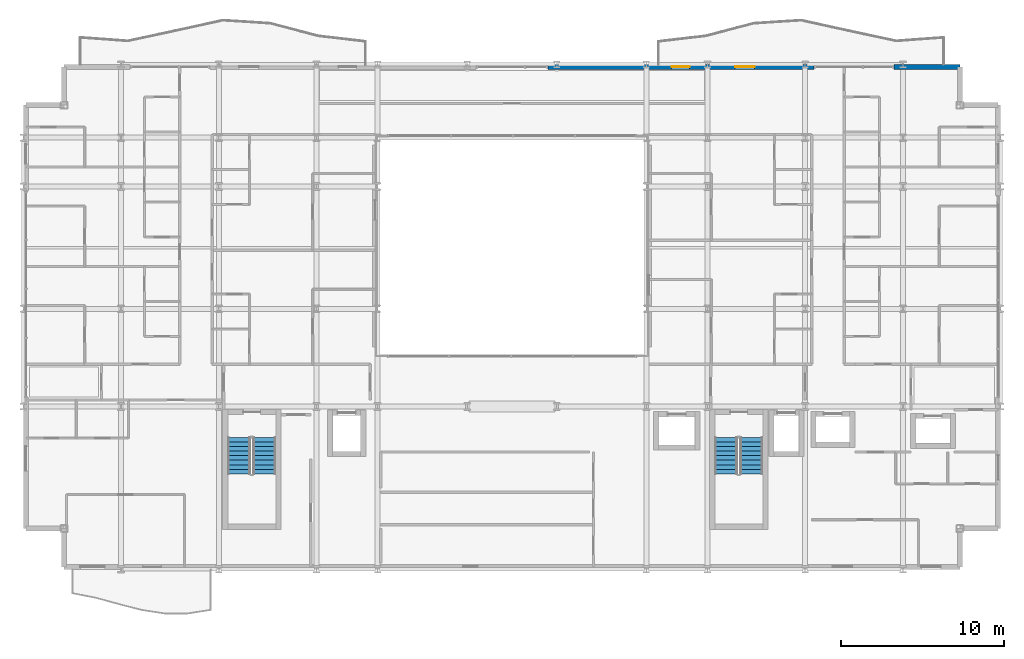
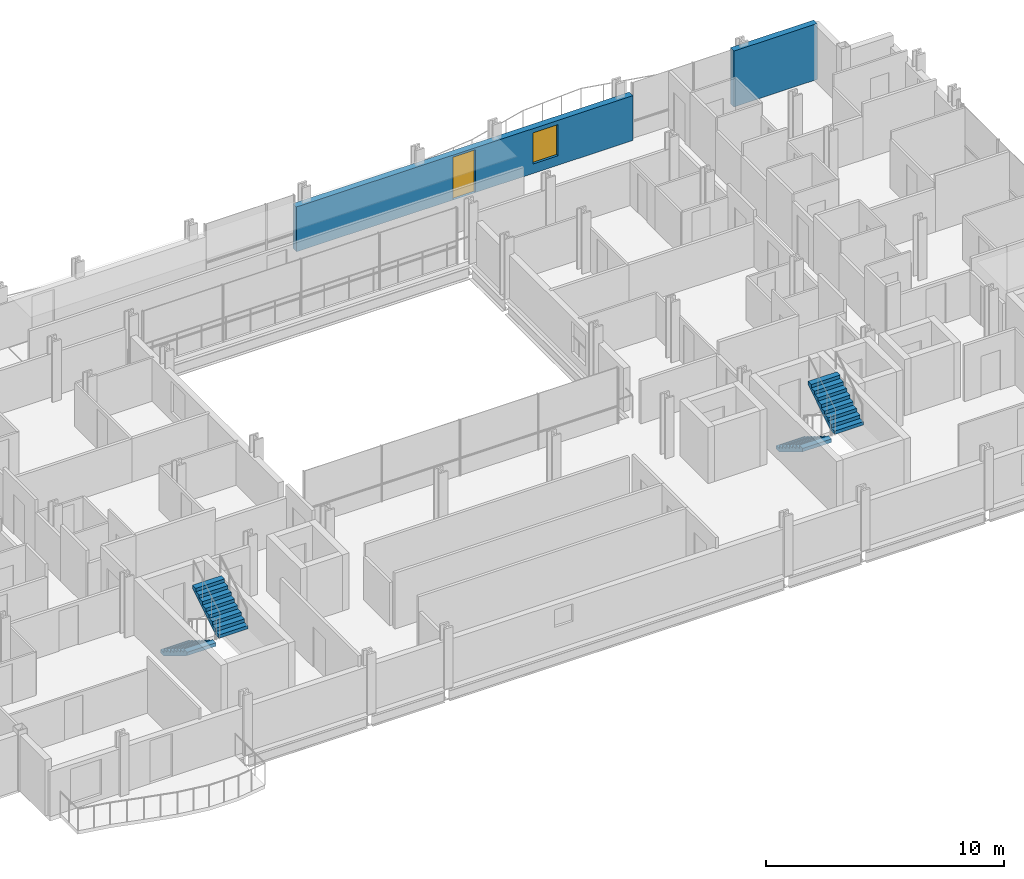
# One storey, part 37 of 40: 4 stair flights, 2 walls, 1 door, 1 window, 2 openings, 2 elements without a shape of their own.
"""IFC4 building model written with IfcOpenShell, lengths in metres."""

import ifcopenshell
import ifcopenshell.guid

model = None  # the IFC model being written
_history = None  # IfcOwnerHistory: only IFC2X3 demands one
_inside = {}  # id of a spatial element -> (the spatial element, [elements in it])
_under = {}  # id of a project, library or spatial element -> (it, [spatial elements below it])
_declared = {}  # id of a project -> (the project, [libraries it declares])
_typed = {}  # id of a type object -> (the type object, [elements of that type])
_made_of = {}  # id of a material, layer set ... -> (it, [elements and type objects made of it])


def new_model(schema):
    """Start an empty IFC model of exactly this schema.

    Asked for "IFC4X3", IfcOpenShell would pick the latest addendum, in which some entities
    have other attributes; the version numbers below select the first issue.
    IFC2X3 requires an IfcOwnerHistory on every rooted entity: one is made here for all.
    """
    global model, _history
    if schema == "IFC4X3":
        model = ifcopenshell.file(schema_version=(4, 3, 0, 0))
    else:
        model = ifcopenshell.file(schema=schema)
    _inside.clear()
    _under.clear()
    _declared.clear()
    _typed.clear()
    _made_of.clear()
    _history = None
    if model.schema == "IFC2X3":
        org = make("IfcOrganization", Name="unknown")
        user = make(
            "IfcPersonAndOrganization",
            ThePerson=make("IfcPerson", FamilyName="unknown"),
            TheOrganization=org,
        )
        app = make(
            "IfcApplication",
            ApplicationDeveloper=org,
            Version="unknown",
            ApplicationFullName="unknown",
            ApplicationIdentifier="unknown",
        )
        _history = make(
            "IfcOwnerHistory",
            OwningUser=user,
            OwningApplication=app,
            ChangeAction="ADDED",
            CreationDate=0,
        )
    return model


def make(cls, **values):
    """One entity of the class cls with the attributes given. An attribute that is None is left unset."""
    return model.create_entity(
        cls, **{name: value for name, value in values.items() if value is not None}
    )


def rooted(cls, **values):
    """An entity with a GlobalId (a new one), such as an element, a storey or a relation."""
    return make(cls, GlobalId=ifcopenshell.guid.new(), OwnerHistory=_history, **values)


def si_unit(unit_type, name, prefix=None):
    """IfcSIUnit, for example si_unit("LENGTHUNIT", "METRE", prefix="MILLI")."""
    return make("IfcSIUnit", UnitType=unit_type, Prefix=prefix, Name=name)


def assignment(units):
    """IfcUnitAssignment: the units of a project."""
    return None if units is None else make("IfcUnitAssignment", Units=units)


def point(xyz):
    """IfcCartesianPoint."""
    return None if xyz is None else make("IfcCartesianPoint", Coordinates=xyz)


def direction(xyz):
    """IfcDirection."""
    return None if xyz is None else make("IfcDirection", DirectionRatios=xyz)


def frame(location, z_axis=None, x_axis=None):
    """IfcAxis2Placement3D, a coordinate frame: its origin and axes. An axis left out is left unset."""
    return make(
        "IfcAxis2Placement3D",
        Location=point(location),
        Axis=direction(z_axis),
        RefDirection=direction(x_axis),
    )


def frame_2d(location, x_axis=None):
    """IfcAxis2Placement2D, a coordinate frame in the plane: its origin and x axis."""
    return make(
        "IfcAxis2Placement2D", Location=point(location), RefDirection=direction(x_axis)
    )


def origin():
    """The frame at (0, 0, 0) with its axes left unset."""
    return frame((0.0, 0.0, 0.0))


def place(relative_to, where):
    """IfcLocalPlacement: puts the frame where relative to a parent placement (None: the world)."""
    return make(
        "IfcLocalPlacement", PlacementRelTo=relative_to, RelativePlacement=where
    )


def context(
    kind, dimensions, precision=None, world=None, true_north=None, identifier=None
):
    """IfcGeometricRepresentationContext, for example the 3D "Model" context."""
    return make(
        "IfcGeometricRepresentationContext",
        ContextIdentifier=identifier,
        ContextType=kind,
        CoordinateSpaceDimension=dimensions,
        Precision=precision,
        WorldCoordinateSystem=world,
        TrueNorth=true_north,
    )


def subcontext(parent, identifier, kind, view, scale=None):
    """IfcGeometricRepresentationSubContext, for example "Body" below "Model"."""
    return make(
        "IfcGeometricRepresentationSubContext",
        ContextIdentifier=identifier,
        ContextType=kind,
        ParentContext=parent,
        TargetScale=scale,
        TargetView=view,
    )


def project(units=None, contexts=None):
    """IfcProject with its units and contexts."""
    return rooted(
        "IfcProject",
        Name="project",
        RepresentationContexts=contexts,
        UnitsInContext=assignment(units),
    )


def spatial(cls, under=None, at=None, **own):
    """A site, building, storey or space (cls), placed at a placement, below another one or the project."""
    s = rooted(cls, ObjectPlacement=at, **own)
    if under is not None:
        _under.setdefault(under.id(), (under, []))[1].append(s)
    return s


def polyline(points):
    """IfcPolyline through the points."""
    return make("IfcPolyline", Points=[point(p) for p in points])


def profile(cls, at=None, kind="AREA", **sizes):
    """A parametric profile (cls). Its sizes go by their IFC names, for example OverallWidth=200.0."""
    return make(cls, ProfileType=kind, Position=at, **sizes)


def rectangle(**sizes):
    """IfcRectangleProfileDef."""
    return profile("IfcRectangleProfileDef", **sizes)


def outline(outer, holes=None, kind="AREA"):
    """IfcArbitraryClosedProfileDef: a profile drawn as a closed curve; with holes, ...WithVoids."""
    if holes is None:
        return make("IfcArbitraryClosedProfileDef", ProfileType=kind, OuterCurve=outer)
    return make(
        "IfcArbitraryProfileDefWithVoids",
        ProfileType=kind,
        OuterCurve=outer,
        InnerCurves=holes,
    )


def extrude(swept, where, along, depth):
    """IfcExtrudedAreaSolid: the profile swept, set in the frame where, extruded along a direction by depth."""
    return make(
        "IfcExtrudedAreaSolid",
        SweptArea=swept,
        Position=where,
        ExtrudedDirection=direction(along),
        Depth=depth,
    )


def shape(context_of_items, identifier, shape_type, items):
    """IfcShapeRepresentation: the items that make up one representation, for example the "Body"."""
    return make(
        "IfcShapeRepresentation",
        ContextOfItems=context_of_items,
        RepresentationIdentifier=identifier,
        RepresentationType=shape_type,
        Items=items,
    )


def material(Name=None, Category=None):
    """IfcMaterial."""
    return make("IfcMaterial", Name=Name, Category=Category)


def layer(
    of_material, thickness, ventilated=None, Name=None, Category=None, Priority=None
):
    """IfcMaterialLayer: one layer of a wall or slab, of a material (None: an air gap)."""
    return make(
        "IfcMaterialLayer",
        Material=of_material,
        LayerThickness=thickness,
        IsVentilated=ventilated,
        Name=Name,
        Category=Category,
        Priority=Priority,
    )


def layer_set(layers, Name=None):
    """IfcMaterialLayerSet."""
    return make("IfcMaterialLayerSet", MaterialLayers=layers, LayerSetName=Name)


def made_of(thing, what):
    """Note that an element or type object is made of a material, layer set ...; save() writes the relation."""
    if what is not None:
        _made_of.setdefault(what.id(), (what, []))[1].append(thing)
    return thing


def type_object(cls, material=None, **own):
    """A type object (cls), such as IfcWallType, which elements share."""
    return made_of(rooted(cls, **own), material)


def element(
    cls,
    number,
    at=None,
    inside=None,
    cuts=None,
    type_object=None,
    material=None,
    context=None,
    identifier="Body",
    shape_type=None,
    held_by="IfcProductDefinitionShape",
    body=None,
    shapes=None,
    **own,
):
    """One element of the class cls, such as IfcWall. Its Tag is "e" and its number.

    at: its placement. inside: the storey or other place that contains it. cuts: it is an
    opening in that element (IfcRelVoidsElement). A single representation is given by context,
    identifier, shape_type and body (its items); several are given by shapes. held_by: the class
    of the entity that holds the representations. save() writes the other relations.
    """
    e = rooted(cls, Tag="e%d" % number, ObjectPlacement=at, **own)
    if body is not None:
        shapes = [shape(context, identifier, shape_type, body)]
    if shapes is not None:
        e.Representation = make(held_by, Representations=shapes)
    if inside is not None:
        _inside.setdefault(inside.id(), (inside, []))[1].append(e)
    if cuts is not None:
        rooted(
            "IfcRelVoidsElement", RelatingBuildingElement=cuts, RelatedOpeningElement=e
        )
    if type_object is not None:
        _typed.setdefault(type_object.id(), (type_object, []))[1].append(e)
    return made_of(e, material)


def fill(opening, filler):
    """IfcRelFillsElement: the door or window that sits in an opening."""
    return rooted(
        "IfcRelFillsElement",
        RelatingOpeningElement=opening,
        RelatedBuildingElement=filler,
    )


def aggregate(whole, parts):
    """IfcRelAggregates: a whole, such as a stair, and the parts it consists of."""
    return rooted("IfcRelAggregates", RelatingObject=whole, RelatedObjects=parts)


def save(model, path):
    """Write the relations noted so far, then the file.

    IfcRelAggregates (storeys below a building ...), IfcRelContainedInSpatialStructure (elements
    in a storey), IfcRelDefinesByType, IfcRelAssociatesMaterial and IfcRelDeclares: one each for
    every whole, place, type object, material and project.
    """
    for whole, parts in _under.values():
        aggregate(whole, parts)
    for where, things in _inside.values():
        rooted(
            "IfcRelContainedInSpatialStructure",
            RelatedElements=things,
            RelatingStructure=where,
        )
    for kind, things in _typed.values():
        rooted("IfcRelDefinesByType", RelatedObjects=things, RelatingType=kind)
    for what, things in _made_of.values():
        rooted("IfcRelAssociatesMaterial", RelatedObjects=things, RelatingMaterial=what)
    for by, libraries in _declared.values():
        rooted("IfcRelDeclares", RelatingContext=by, RelatedDefinitions=libraries)
    model.write(path)


model = new_model("IFC4")

# Units and contexts
model_context = context("Model", 3, precision=1e-05, world=origin(), true_north=direction((0.0, 1.0)))
body_context = subcontext(model_context, "Body", "Model", "MODEL_VIEW")
ifc_project = project(units=[si_unit("LENGTHUNIT", "METRE"), si_unit("AREAUNIT", "SQUARE_METRE"), si_unit("VOLUMEUNIT", "CUBIC_METRE"), si_unit("PLANEANGLEUNIT", "RADIAN"), si_unit("MASSUNIT", "GRAM", prefix="KILO")], contexts=[model_context])

# Site, building, storey
site_placement = place(None, origin())
site = spatial("IfcSite", under=ifc_project, at=site_placement, CompositionType="ELEMENT")
building_placement = place(site_placement, origin())
building = spatial("IfcBuilding", under=site, at=building_placement, Name="Brevholm Reach", CompositionType="ELEMENT")
storey_placement = place(building_placement, frame((0.0, 0.0, 37.300048828125)))
storey = spatial("IfcBuildingStorey", under=building, at=storey_placement, Name="L09", CompositionType="ELEMENT", Elevation=37.300048828125)

# Wall
ifc_material_1 = material(Name="Concrete C40/50", Category="concrete")
ifc_layer_1 = layer(ifc_material_1, 0.300048828125)
ifc_layer_set_1 = layer_set([ifc_layer_1], Name="Concrete C40/50")
wall_type = type_object("IfcWallType", Name="WAL-EXT-300", PredefinedType="STANDARD", material=ifc_layer_set_1)
wall_1_placement = place(storey_placement, frame((53.449951171875, 30.85009765625, 0.0), z_axis=(0.0, 0.0, 1.0), x_axis=(1.0, 0.0, 0.0)))
element("IfcWall", 1, at=wall_1_placement, inside=storey, type_object=wall_type, Name="L09 Facade Wall WAL-L09-NP-E0", PredefinedType="STANDARD", context=body_context, shape_type="SweptSolid", body=[
    extrude(rectangle(XDim=4.050048828125, YDim=0.300048828125, at=frame_2d((2.02490234375, 0.0))), origin(), (0.0, 0.0, 1.0), 2.869873046875),
])

# Wall, openings, door, window
wall_2_placement = place(storey_placement, frame((32.199951171875, 30.85009765625, 0.0), z_axis=(0.0, 0.0, 1.0), x_axis=(1.0, 0.0, 0.0)))
wall_2 = element("IfcWall", 2, at=wall_2_placement, inside=storey, type_object=wall_type, Name="L09 Facade Wall WAL-L09-NP-ER", PredefinedType="STANDARD", context=body_context, shape_type="SweptSolid", body=[
    extrude(rectangle(XDim=16.35009765625, YDim=0.300048828125, at=frame_2d((8.175048828125, 0.0))), origin(), (0.0, 0.0, 1.0), 2.305419921875),
])
opening_1_placement = place(wall_2_placement, frame((7.60009765625, 0.0, 0.0)))
opening_1 = element("IfcOpeningElement", 3, at=opening_1_placement, cuts=wall_2, Name="Opening BD-01", PredefinedType="OPENING", context=body_context, shape_type="SweptSolid", body=[
    extrude(rectangle(XDim=1.10009765625, YDim=2.199951171875, at=frame_2d((0.550048828125, 1.10009765625))), frame((0.0, 0.159912109375, 0.0), z_axis=(0.0, -1.0, 0.0), x_axis=(1.0, 0.0, 0.0)), (0.0, 0.0, 1.0), 0.320068359375),
])
opening_2_placement = place(wall_2_placement, frame((11.5, 0.0, 0.486083984375)))
opening_2 = element("IfcOpeningElement", 4, at=opening_2_placement, cuts=wall_2, Name="Opening WN-08", PredefinedType="OPENING", context=body_context, shape_type="SweptSolid", body=[
    extrude(rectangle(XDim=1.199951171875, YDim=1.60009765625, at=frame_2d((0.60009765625, 0.800048828125))), frame((0.0, 0.159912109375, 0.0), z_axis=(0.0, -1.0, 0.0), x_axis=(1.0, 0.0, 0.0)), (0.0, 0.0, 1.0), 0.320068359375),
])
ifc_material_2 = material(Name="Dark Anodised Aluminium and Triple-Glazed Glass", Category="aluminium")
door_type = type_object("IfcDoorType", Name="DOR-BALC-1100", OperationType="NOTDEFINED", PredefinedType="DOOR", material=ifc_material_2)
door_placement = place(opening_1_placement, origin())
door = element("IfcDoor", 5, at=door_placement, inside=storey, type_object=door_type, Name="L09 Exterior Door DOR-L09-BL-NE", OperationType="SINGLE_SWING_LEFT", OverallHeight=2.199951171875, OverallWidth=1.10009765625, PredefinedType="DOOR", context=body_context, shape_type="SweptSolid", body=[
    extrude(rectangle(XDim=1.10009765625, YDim=2.199951171875, at=frame_2d((0.550048828125, 1.10009765625))), frame((0.0, 0.02490234375, 0.0), z_axis=(0.0, -1.0, 0.0), x_axis=(1.0, 0.0, 0.0)), (0.0, 0.0, 1.0), 0.050048828125),
])
fill(opening_1, door)
ifc_material_3 = material(Name="Dark Anodised Aluminium and Solar-Control IGU Glass", Category="aluminium")
window_type = type_object("IfcWindowType", Name="WIN-RES-1200", PartitioningType="SINGLE_PANEL", PredefinedType="WINDOW", material=ifc_material_3)
window_placement = place(opening_2_placement, origin())
window = element("IfcWindow", 6, at=window_placement, inside=storey, type_object=window_type, Name="L09 Window WIN-L09-NP-ER1", OverallHeight=1.60009765625, OverallWidth=1.199951171875, PartitioningType="SINGLE_PANEL", PredefinedType="WINDOW", context=body_context, shape_type="SweptSolid", body=[
    extrude(rectangle(XDim=1.199951171875, YDim=1.60009765625, at=frame_2d((0.60009765625, 0.800048828125))), frame((0.0, 0.030029296875, 0.0), z_axis=(0.0, -1.0, 0.0), x_axis=(1.0, 0.0, 0.0)), (0.0, 0.0, 1.0), 0.06005859375),
])
fill(opening_2, window)

# Stair, stair flights
ifc_material_4 = material(Name="Precast Concrete C40/50", Category="concrete")
stair_type = type_object("IfcStairType", Name="STR-ESC-1400", PredefinedType="DOUBLE_RETURN_STAIR", material=ifc_material_4)
stair_1_placement = place(storey_placement, origin())
stair_1 = element("IfcStair", 7, at=stair_1_placement, inside=storey, type_object=stair_type, Name="L09 ST-1", PredefinedType="DOUBLE_RETURN_STAIR")
ifc_material_5 = material(Name="Precast Concrete C40/50", Category="concrete")
ifc_layer_2 = layer(ifc_material_5, 0.18505859375)
ifc_layer_set_2 = layer_set([ifc_layer_2], Name="Precast Concrete C40/50")
stair_flight_type = type_object("IfcStairFlightType", Name="STF-PRC-185", PredefinedType="STRAIGHT", material=ifc_layer_set_2)
stair_flight_1_placement = place(storey_placement, frame((13.25, 8.10009765625, 0.0), z_axis=(0.0, 0.0, 1.0), x_axis=(0.0, -1.0, 0.0)))
stair_flight_1 = element("IfcStairFlight", 8, at=stair_flight_1_placement, type_object=stair_flight_type, Name="ST-1 flight 1", NumberOfRisers=9, NumberOfTreads=8, PredefinedType="STRAIGHT", RiserHeight=0.172222222, TreadLength=0.28, context=body_context, shape_type="SweptSolid", body=[
    extrude(outline(polyline([(0.0, 0.0), (0.0, 0.172119140625), (0.280029296875, 0.172119140625), (0.280029296875, 0.344482421875), (0.56005859375, 0.344482421875), (0.56005859375, 0.5166015625), (0.840087890625, 0.5166015625), (0.840087890625, 0.68896484375), (1.1201171875, 0.68896484375), (1.1201171875, 0.861083984375), (1.39990234375, 0.861083984375), (1.39990234375, 1.033447265625), (1.679931640625, 1.033447265625), (1.679931640625, 1.20556640625), (1.9599609375, 1.20556640625), (1.9599609375, 1.377685546875), (2.239990234375, 1.377685546875), (2.239990234375, 1.550048828125), (2.239990234375, 1.201904296875), (0.2861328125, 0.0), (0.0, 0.0)])), frame((0.0, 0.699951171875, 0.0), z_axis=(0.0, -1.0, 0.0), x_axis=(1.0, 0.0, 0.0)), (0.0, 0.0, 1.0), 1.39990234375),
])
stair_flight_2_placement = place(storey_placement, frame((14.800048828125, 5.860107421875, 1.550048828125), z_axis=(0.0, 0.0, 1.0), x_axis=(0.0, 1.0, 0.0)))
stair_flight_2 = element("IfcStairFlight", 9, at=stair_flight_2_placement, type_object=stair_flight_type, Name="ST-1 flight 2", NumberOfRisers=9, NumberOfTreads=8, PredefinedType="STRAIGHT", RiserHeight=0.172222222, TreadLength=0.28, context=body_context, shape_type="SweptSolid", body=[
    extrude(outline(polyline([(0.0, 0.0), (0.0, 0.172119140625), (0.280029296875, 0.172119140625), (0.280029296875, 0.344482421875), (0.56005859375, 0.344482421875), (0.56005859375, 0.5166015625), (0.840087890625, 0.5166015625), (0.840087890625, 0.68896484375), (1.1201171875, 0.68896484375), (1.1201171875, 0.861083984375), (1.39990234375, 0.861083984375), (1.39990234375, 1.033447265625), (1.679931640625, 1.033447265625), (1.679931640625, 1.20556640625), (1.9599609375, 1.20556640625), (1.9599609375, 1.377685546875), (2.239990234375, 1.377685546875), (2.239990234375, 1.550048828125), (2.239990234375, 1.201904296875), (0.2861328125, 0.0), (0.0, 0.0)])), frame((0.0, 0.699951171875, 0.0), z_axis=(0.0, -1.0, 0.0), x_axis=(1.0, 0.0, 0.0)), (0.0, 0.0, 1.0), 1.39990234375),
])
aggregate(stair_1, [stair_flight_1, stair_flight_2])

stair_2_placement = place(storey_placement, origin())
stair_2 = element("IfcStair", 10, at=stair_2_placement, inside=storey, type_object=stair_type, Name="L09 ST-2", PredefinedType="DOUBLE_RETURN_STAIR")
stair_flight_3_placement = place(storey_placement, frame((43.14990234375, 8.10009765625, 0.0), z_axis=(0.0, 0.0, 1.0), x_axis=(0.0, -1.0, 0.0)))
stair_flight_3 = element("IfcStairFlight", 11, at=stair_flight_3_placement, type_object=stair_flight_type, Name="ST-2 flight 1", NumberOfRisers=9, NumberOfTreads=8, PredefinedType="STRAIGHT", RiserHeight=0.172222222, TreadLength=0.28, context=body_context, shape_type="SweptSolid", body=[
    extrude(outline(polyline([(0.0, 0.0), (0.0, 0.172119140625), (0.280029296875, 0.172119140625), (0.280029296875, 0.344482421875), (0.56005859375, 0.344482421875), (0.56005859375, 0.5166015625), (0.840087890625, 0.5166015625), (0.840087890625, 0.68896484375), (1.1201171875, 0.68896484375), (1.1201171875, 0.861083984375), (1.39990234375, 0.861083984375), (1.39990234375, 1.033447265625), (1.679931640625, 1.033447265625), (1.679931640625, 1.20556640625), (1.9599609375, 1.20556640625), (1.9599609375, 1.377685546875), (2.239990234375, 1.377685546875), (2.239990234375, 1.550048828125), (2.239990234375, 1.201904296875), (0.2861328125, 0.0), (0.0, 0.0)])), frame((0.0, 0.699951171875, 0.0), z_axis=(0.0, -1.0, 0.0), x_axis=(1.0, 0.0, 0.0)), (0.0, 0.0, 1.0), 1.39990234375),
])
stair_flight_4_placement = place(storey_placement, frame((44.699951171875, 5.860107421875, 1.550048828125), z_axis=(0.0, 0.0, 1.0), x_axis=(0.0, 1.0, 0.0)))
stair_flight_4 = element("IfcStairFlight", 12, at=stair_flight_4_placement, type_object=stair_flight_type, Name="ST-2 flight 2", NumberOfRisers=9, NumberOfTreads=8, PredefinedType="STRAIGHT", RiserHeight=0.172222222, TreadLength=0.28, context=body_context, shape_type="SweptSolid", body=[
    extrude(outline(polyline([(0.0, 0.0), (0.0, 0.172119140625), (0.280029296875, 0.172119140625), (0.280029296875, 0.344482421875), (0.56005859375, 0.344482421875), (0.56005859375, 0.5166015625), (0.840087890625, 0.5166015625), (0.840087890625, 0.68896484375), (1.1201171875, 0.68896484375), (1.1201171875, 0.861083984375), (1.39990234375, 0.861083984375), (1.39990234375, 1.033447265625), (1.679931640625, 1.033447265625), (1.679931640625, 1.20556640625), (1.9599609375, 1.20556640625), (1.9599609375, 1.377685546875), (2.239990234375, 1.377685546875), (2.239990234375, 1.550048828125), (2.239990234375, 1.201904296875), (0.2861328125, 0.0), (0.0, 0.0)])), frame((0.0, 0.699951171875, 0.0), z_axis=(0.0, -1.0, 0.0), x_axis=(1.0, 0.0, 0.0)), (0.0, 0.0, 1.0), 1.39990234375),
])
aggregate(stair_2, [stair_flight_3, stair_flight_4])

save(model, "model.ifc")
